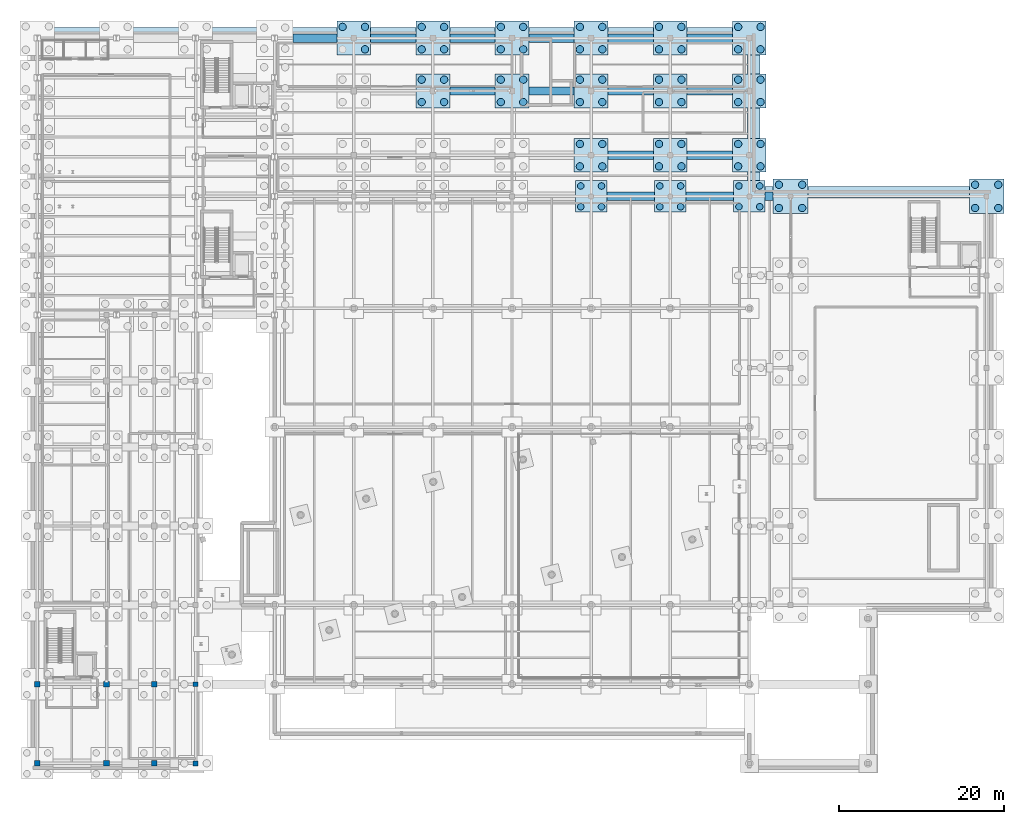
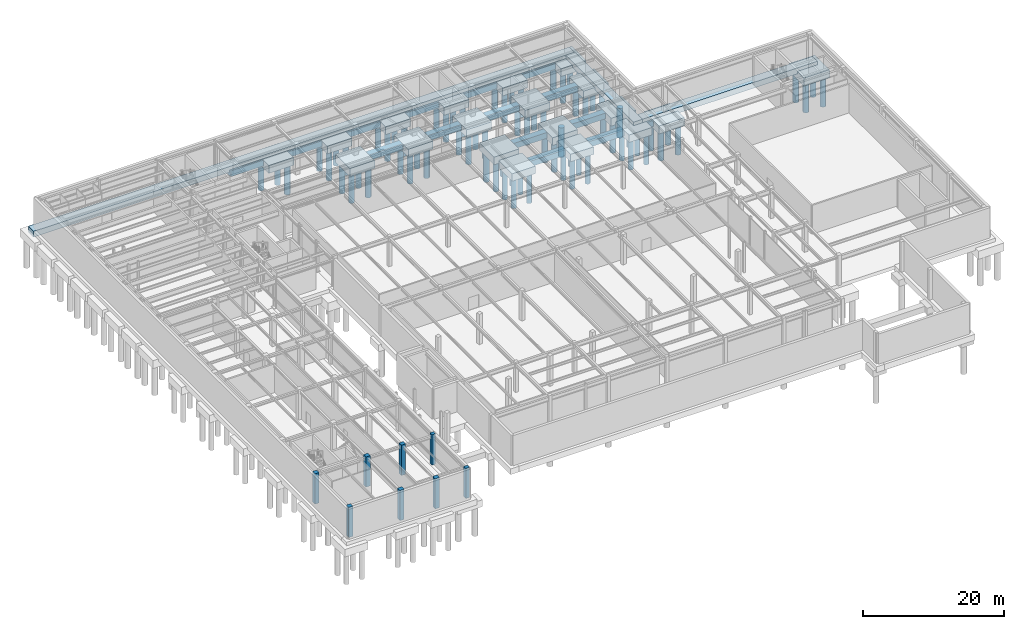
# One storey, part 5 of 33: 75 piles, 37 footings, 8 columns.
"""IFC4 building model written with IfcOpenShell, lengths in metres."""

from ifc_helpers import new_model, si_unit, direction, frame, origin, origin_2d, place, context, subcontext, project, spatial, polyline, rectangle, circle, outline, extrude, material, material_profile, profile_set, type_object, element, save


model = new_model("IFC4")

# Units and contexts
model_context = context("Model", 3, precision=1e-05, world=origin(), true_north=direction((0.0, 1.0)))
body_context = subcontext(model_context, "Body", "Model", "MODEL_VIEW")
ifc_project = project(units=[si_unit("LENGTHUNIT", "METRE"), si_unit("AREAUNIT", "SQUARE_METRE"), si_unit("VOLUMEUNIT", "CUBIC_METRE"), si_unit("PLANEANGLEUNIT", "RADIAN"), si_unit("MASSUNIT", "GRAM", prefix="KILO")], contexts=[model_context])

# Site, building, storey
site_placement = place(None, origin())
site = spatial("IfcSite", under=ifc_project, at=site_placement, CompositionType="ELEMENT")
building_placement = place(site_placement, origin())
building = spatial("IfcBuilding", under=site, at=building_placement, Name="Nordkorset Police Headquarters", CompositionType="ELEMENT")
storey_placement = place(building_placement, frame((0.0, 0.0, -9.800048828125)))
storey = spatial("IfcBuildingStorey", under=building, at=storey_placement, Name="B02", CompositionType="ELEMENT", Elevation=-9.800048828125)

# Piles
ifc_material_1 = material(Name="Concrete C45/55", Category="concrete")
ifc_material_profile_1 = material_profile(ifc_material_1, circle(Radius=0.39990234375, at=origin_2d()), Name="PILE D800")
ifc_profile_set_1 = profile_set([ifc_material_profile_1], Name="Concrete C45/55")
pile_type_1 = type_object("IfcPileType", Name="Bored_PILE_D800", PredefinedType="BORED", material=ifc_profile_set_1)
for number, where, z_axis, x_axis, name in (
    (1, (65.93994140625, 96.340087890625, -1.800048828125), (0.0, 0.0, -1.0), (1.0, 0.0, 0.0), "Rock-Socketed Bored Pile V2_Y0_3-1"),
    (2, (68.4599609375, 96.340087890625, -1.800048828125), (0.0, 0.0, -1.0), (1.0, 0.0, 0.0), "Rock-Socketed Bored Pile V2_Y0_3-2"),
    (3, (65.93994140625, 98.860107421875, -1.800048828125), (0.0, 0.0, -1.0), (1.0, 0.0, 0.0), "Rock-Socketed Bored Pile V2_Y0_3-3"),
    (4, (68.4599609375, 98.860107421875, -1.800048828125), (0.0, 0.0, -1.0), (1.0, 0.0, 0.0), "Rock-Socketed Bored Pile V2_Y0_3-4"),
    (5, (75.5400390625, 96.340087890625, -1.800048828125), (0.0, 0.0, -1.0), (1.0, 0.0, 0.0), "Rock-Socketed Bored Pile V2_Y0_4-1"),
    (6, (78.06005859375, 96.340087890625, -1.800048828125), (0.0, 0.0, -1.0), (1.0, 0.0, 0.0), "Rock-Socketed Bored Pile V2_Y0_4-2"),
    (7, (75.5400390625, 98.860107421875, -1.800048828125), (0.0, 0.0, -1.0), (1.0, 0.0, 0.0), "Rock-Socketed Bored Pile V2_Y0_4-3"),
    (8, (78.06005859375, 98.860107421875, -1.800048828125), (0.0, 0.0, -1.0), (1.0, 0.0, 0.0), "Rock-Socketed Bored Pile V2_Y0_4-4"),
    (9, (85.139892578125, 96.340087890625, -1.800048828125), (0.0, 0.0, -1.0), (1.0, 0.0, 0.0), "Rock-Socketed Bored Pile V2_Y0_5-1"),
    (10, (87.659912109375, 96.340087890625, -1.800048828125), (0.0, 0.0, -1.0), (1.0, 0.0, 0.0), "Rock-Socketed Bored Pile V2_Y0_5-2"),
    (11, (85.139892578125, 98.860107421875, -1.800048828125), (0.0, 0.0, -1.0), (1.0, 0.0, 0.0), "Rock-Socketed Bored Pile V2_Y0_5-3"),
    (12, (87.659912109375, 98.860107421875, -1.800048828125), (0.0, 0.0, -1.0), (1.0, 0.0, 0.0), "Rock-Socketed Bored Pile V2_Y0_5-4"),
):
    element("IfcPile", number, at=place(storey_placement, frame(where, z_axis=z_axis, x_axis=x_axis)), inside=storey, type_object=pile_type_1, Name=name, PredefinedType="BORED", context=body_context, shape_type="SweptSolid", body=[
        extrude(circle(Radius=0.39990234375, at=origin_2d()), origin(), (0.0, 0.0, 1.0), 5.199951171875),
    ])
ifc_material_2 = material(Name="Concrete C45/55", Category="concrete")
ifc_material_profile_2 = material_profile(ifc_material_2, circle(Radius=0.449951171875, at=origin_2d()), Name="PILE D900")
ifc_profile_set_2 = profile_set([ifc_material_profile_2], Name="Concrete C45/55")
pile_type_2 = type_object("IfcPileType", Name="Bored_PILE_D900", PredefinedType="BORED", material=ifc_profile_set_2)
for number, where, z_axis, x_axis, name in (
    (13, (39.760009765625, 115.43994140625, -1.849853515625), (0.0, 0.0, -1.0), (1.0, 0.0, 0.0), "Rock-Socketed Bored Pile V2_Y3_0-2"),
    (14, (37.0400390625, 118.159912109375, -1.849853515625), (0.0, 0.0, -1.0), (1.0, 0.0, 0.0), "Rock-Socketed Bored Pile V2_Y3_0-3"),
    (15, (39.760009765625, 118.159912109375, -1.849853515625), (0.0, 0.0, -1.0), (1.0, 0.0, 0.0), "Rock-Socketed Bored Pile V2_Y3_0-4"),
    (16, (46.639892578125, 109.0400390625, -1.849853515625), (0.0, 0.0, -1.0), (1.0, 0.0, 0.0), "Rock-Socketed Bored Pile V2_Y2_1-1"),
    (17, (49.360107421875, 109.0400390625, -1.849853515625), (0.0, 0.0, -1.0), (1.0, 0.0, 0.0), "Rock-Socketed Bored Pile V2_Y2_1-2"),
    (18, (46.639892578125, 111.760009765625, -1.849853515625), (0.0, 0.0, -1.0), (1.0, 0.0, 0.0), "Rock-Socketed Bored Pile V2_Y2_1-3"),
    (19, (49.360107421875, 111.760009765625, -1.849853515625), (0.0, 0.0, -1.0), (1.0, 0.0, 0.0), "Rock-Socketed Bored Pile V2_Y2_1-4"),
    (20, (46.639892578125, 115.43994140625, -1.849853515625), (0.0, 0.0, -1.0), (1.0, 0.0, 0.0), "Rock-Socketed Bored Pile V2_Y3_1-1"),
    (21, (49.360107421875, 115.43994140625, -1.849853515625), (0.0, 0.0, -1.0), (1.0, 0.0, 0.0), "Rock-Socketed Bored Pile V2_Y3_1-2"),
    (22, (46.639892578125, 118.159912109375, -1.849853515625), (0.0, 0.0, -1.0), (1.0, 0.0, 0.0), "Rock-Socketed Bored Pile V2_Y3_1-3"),
    (23, (49.360107421875, 118.159912109375, -1.849853515625), (0.0, 0.0, -1.0), (1.0, 0.0, 0.0), "Rock-Socketed Bored Pile V2_Y3_1-4"),
    (24, (56.239990234375, 109.0400390625, -1.849853515625), (0.0, 0.0, -1.0), (1.0, 0.0, 0.0), "Rock-Socketed Bored Pile V2_Y2_2-1"),
    (25, (58.9599609375, 109.0400390625, -1.849853515625), (0.0, 0.0, -1.0), (1.0, 0.0, 0.0), "Rock-Socketed Bored Pile V2_Y2_2-2"),
    (26, (56.239990234375, 111.760009765625, -1.849853515625), (0.0, 0.0, -1.0), (1.0, 0.0, 0.0), "Rock-Socketed Bored Pile V2_Y2_2-3"),
    (27, (58.9599609375, 111.760009765625, -1.849853515625), (0.0, 0.0, -1.0), (1.0, 0.0, 0.0), "Rock-Socketed Bored Pile V2_Y2_2-4"),
    (28, (56.239990234375, 115.43994140625, -1.849853515625), (0.0, 0.0, -1.0), (1.0, 0.0, 0.0), "Rock-Socketed Bored Pile V2_Y3_2-1"),
    (29, (58.9599609375, 115.43994140625, -1.849853515625), (0.0, 0.0, -1.0), (1.0, 0.0, 0.0), "Rock-Socketed Bored Pile V2_Y3_2-2"),
    (30, (56.239990234375, 118.159912109375, -1.849853515625), (0.0, 0.0, -1.0), (1.0, 0.0, 0.0), "Rock-Socketed Bored Pile V2_Y3_2-3"),
    (31, (58.9599609375, 118.159912109375, -1.849853515625), (0.0, 0.0, -1.0), (1.0, 0.0, 0.0), "Rock-Socketed Bored Pile V2_Y3_2-4"),
    (32, (65.840087890625, 101.239990234375, -1.849853515625), (0.0, 0.0, -1.0), (1.0, 0.0, 0.0), "Rock-Socketed Bored Pile V2_Y1_3-1"),
    (33, (68.56005859375, 101.239990234375, -1.849853515625), (0.0, 0.0, -1.0), (1.0, 0.0, 0.0), "Rock-Socketed Bored Pile V2_Y1_3-2"),
    (34, (65.840087890625, 103.9599609375, -1.849853515625), (0.0, 0.0, -1.0), (1.0, 0.0, 0.0), "Rock-Socketed Bored Pile V2_Y1_3-3"),
    (35, (68.56005859375, 103.9599609375, -1.849853515625), (0.0, 0.0, -1.0), (1.0, 0.0, 0.0), "Rock-Socketed Bored Pile V2_Y1_3-4"),
    (36, (65.840087890625, 109.0400390625, -1.849853515625), (0.0, 0.0, -1.0), (1.0, 0.0, 0.0), "Rock-Socketed Bored Pile V2_Y2_3-1"),
    (37, (68.56005859375, 109.0400390625, -1.849853515625), (0.0, 0.0, -1.0), (1.0, 0.0, 0.0), "Rock-Socketed Bored Pile V2_Y2_3-2"),
    (38, (65.840087890625, 111.760009765625, -1.849853515625), (0.0, 0.0, -1.0), (1.0, 0.0, 0.0), "Rock-Socketed Bored Pile V2_Y2_3-3"),
    (39, (68.56005859375, 111.760009765625, -1.849853515625), (0.0, 0.0, -1.0), (1.0, 0.0, 0.0), "Rock-Socketed Bored Pile V2_Y2_3-4"),
    (40, (65.840087890625, 115.43994140625, -1.849853515625), (0.0, 0.0, -1.0), (1.0, 0.0, 0.0), "Rock-Socketed Bored Pile V2_Y3_3-1"),
    (41, (68.56005859375, 115.43994140625, -1.849853515625), (0.0, 0.0, -1.0), (1.0, 0.0, 0.0), "Rock-Socketed Bored Pile V2_Y3_3-2"),
    (42, (65.840087890625, 118.159912109375, -1.849853515625), (0.0, 0.0, -1.0), (1.0, 0.0, 0.0), "Rock-Socketed Bored Pile V2_Y3_3-3"),
    (43, (68.56005859375, 118.159912109375, -1.849853515625), (0.0, 0.0, -1.0), (1.0, 0.0, 0.0), "Rock-Socketed Bored Pile V2_Y3_3-4"),
    (44, (75.43994140625, 101.239990234375, -1.849853515625), (0.0, 0.0, -1.0), (1.0, 0.0, 0.0), "Rock-Socketed Bored Pile V2_Y1_4-1"),
    (45, (78.159912109375, 101.239990234375, -1.849853515625), (0.0, 0.0, -1.0), (1.0, 0.0, 0.0), "Rock-Socketed Bored Pile V2_Y1_4-2"),
    (46, (75.43994140625, 103.9599609375, -1.849853515625), (0.0, 0.0, -1.0), (1.0, 0.0, 0.0), "Rock-Socketed Bored Pile V2_Y1_4-3"),
    (47, (78.159912109375, 103.9599609375, -1.849853515625), (0.0, 0.0, -1.0), (1.0, 0.0, 0.0), "Rock-Socketed Bored Pile V2_Y1_4-4"),
    (48, (75.43994140625, 109.0400390625, -1.849853515625), (0.0, 0.0, -1.0), (1.0, 0.0, 0.0), "Rock-Socketed Bored Pile V2_Y2_4-1"),
    (49, (78.159912109375, 109.0400390625, -1.849853515625), (0.0, 0.0, -1.0), (1.0, 0.0, 0.0), "Rock-Socketed Bored Pile V2_Y2_4-2"),
    (50, (75.43994140625, 111.760009765625, -1.849853515625), (0.0, 0.0, -1.0), (1.0, 0.0, 0.0), "Rock-Socketed Bored Pile V2_Y2_4-3"),
    (51, (78.159912109375, 111.760009765625, -1.849853515625), (0.0, 0.0, -1.0), (1.0, 0.0, 0.0), "Rock-Socketed Bored Pile V2_Y2_4-4"),
    (52, (75.43994140625, 115.43994140625, -1.849853515625), (0.0, 0.0, -1.0), (1.0, 0.0, 0.0), "Rock-Socketed Bored Pile V2_Y3_4-1"),
    (53, (78.159912109375, 115.43994140625, -1.849853515625), (0.0, 0.0, -1.0), (1.0, 0.0, 0.0), "Rock-Socketed Bored Pile V2_Y3_4-2"),
    (54, (75.43994140625, 118.159912109375, -1.849853515625), (0.0, 0.0, -1.0), (1.0, 0.0, 0.0), "Rock-Socketed Bored Pile V2_Y3_4-3"),
    (55, (78.159912109375, 118.159912109375, -1.849853515625), (0.0, 0.0, -1.0), (1.0, 0.0, 0.0), "Rock-Socketed Bored Pile V2_Y3_4-4"),
    (56, (85.0400390625, 101.239990234375, -1.849853515625), (0.0, 0.0, -1.0), (1.0, 0.0, 0.0), "Rock-Socketed Bored Pile V2_Y1_5-1"),
    (57, (87.760009765625, 101.239990234375, -1.849853515625), (0.0, 0.0, -1.0), (1.0, 0.0, 0.0), "Rock-Socketed Bored Pile V2_Y1_5-2"),
    (58, (85.0400390625, 103.9599609375, -1.849853515625), (0.0, 0.0, -1.0), (1.0, 0.0, 0.0), "Rock-Socketed Bored Pile V2_Y1_5-3"),
    (59, (87.760009765625, 103.9599609375, -1.849853515625), (0.0, 0.0, -1.0), (1.0, 0.0, 0.0), "Rock-Socketed Bored Pile V2_Y1_5-4"),
    (60, (85.0400390625, 109.0400390625, -1.849853515625), (0.0, 0.0, -1.0), (1.0, 0.0, 0.0), "Rock-Socketed Bored Pile V2_Y2_5-1"),
    (61, (87.760009765625, 109.0400390625, -1.849853515625), (0.0, 0.0, -1.0), (1.0, 0.0, 0.0), "Rock-Socketed Bored Pile V2_Y2_5-2"),
    (62, (85.0400390625, 111.760009765625, -1.849853515625), (0.0, 0.0, -1.0), (1.0, 0.0, 0.0), "Rock-Socketed Bored Pile V2_Y2_5-3"),
    (63, (87.760009765625, 111.760009765625, -1.849853515625), (0.0, 0.0, -1.0), (1.0, 0.0, 0.0), "Rock-Socketed Bored Pile V2_Y2_5-4"),
    (64, (85.0400390625, 115.43994140625, -1.849853515625), (0.0, 0.0, -1.0), (1.0, 0.0, 0.0), "Rock-Socketed Bored Pile V2_Y3_5-1"),
    (65, (87.760009765625, 115.43994140625, -1.849853515625), (0.0, 0.0, -1.0), (1.0, 0.0, 0.0), "Rock-Socketed Bored Pile V2_Y3_5-2"),
    (66, (85.0400390625, 118.159912109375, -1.849853515625), (0.0, 0.0, -1.0), (1.0, 0.0, 0.0), "Rock-Socketed Bored Pile V2_Y3_5-3"),
    (67, (87.760009765625, 118.159912109375, -1.849853515625), (0.0, 0.0, -1.0), (1.0, 0.0, 0.0), "Rock-Socketed Bored Pile V2_Y3_5-4"),
):
    element("IfcPile", number, at=place(storey_placement, frame(where, z_axis=z_axis, x_axis=x_axis)), inside=storey, type_object=pile_type_2, Name=name, PredefinedType="BORED", context=body_context, shape_type="SweptSolid", body=[
        extrude(circle(Radius=0.449951171875, at=origin_2d()), origin(), (0.0, 0.0, 1.0), 5.14990234375),
    ])
for number, where, z_axis, x_axis, name in (
    (68, (89.989990234375, 96.18994140625, -1.89990234375), (0.0, 0.0, -1.0), (1.0, 0.0, 0.0), "Rock-Socketed Bored Pile V5_X1_5-1"),
    (69, (92.81005859375, 96.18994140625, -1.89990234375), (0.0, 0.0, -1.0), (1.0, 0.0, 0.0), "Rock-Socketed Bored Pile V5_X1_5-2"),
    (70, (89.989990234375, 99.010009765625, -1.89990234375), (0.0, 0.0, -1.0), (1.0, 0.0, 0.0), "Rock-Socketed Bored Pile V5_X1_5-3"),
    (71, (92.81005859375, 99.010009765625, -1.89990234375), (0.0, 0.0, -1.0), (1.0, 0.0, 0.0), "Rock-Socketed Bored Pile V5_X1_5-4"),
    (72, (113.7900390625, 96.18994140625, -1.89990234375), (0.0, 0.0, -1.0), (1.0, 0.0, 0.0), "Rock-Socketed Bored Pile V5_X2_5-1"),
    (73, (116.610107421875, 96.18994140625, -1.89990234375), (0.0, 0.0, -1.0), (1.0, 0.0, 0.0), "Rock-Socketed Bored Pile V5_X2_5-2"),
    (74, (113.7900390625, 99.010009765625, -1.89990234375), (0.0, 0.0, -1.0), (1.0, 0.0, 0.0), "Rock-Socketed Bored Pile V5_X2_5-3"),
    (75, (116.610107421875, 99.010009765625, -1.89990234375), (0.0, 0.0, -1.0), (1.0, 0.0, 0.0), "Rock-Socketed Bored Pile V5_X2_5-4"),
):
    element("IfcPile", number, at=place(storey_placement, frame(where, z_axis=z_axis, x_axis=x_axis)), inside=storey, type_object=pile_type_2, Name=name, PredefinedType="BORED", context=body_context, shape_type="SweptSolid", body=[
        extrude(circle(Radius=0.449951171875, at=origin_2d()), origin(), (0.0, 0.0, 1.0), 5.10009765625),
    ])

# Footings
ifc_material_3 = material(Name="Concrete C35/45", Category="concrete")
footing_type_1 = type_object("IfcFootingType", Name="Cap_3800x3800x1300", PredefinedType="PILE_CAP", material=ifc_material_3)
for number, where, z_axis, x_axis, name in (
    (76, (67.199951171875, 97.60009765625, -1.89990234375), (0.0, 0.0, 1.0), (1.0, 0.0, 0.0), "Reinforced Concrete Pile Cap V2_Y0_3"),
    (77, (76.800048828125, 97.60009765625, -1.89990234375), (0.0, 0.0, 1.0), (1.0, 0.0, 0.0), "Reinforced Concrete Pile Cap V2_Y0_4"),
    (78, (86.39990234375, 97.60009765625, -1.89990234375), (0.0, 0.0, 1.0), (1.0, 0.0, 0.0), "Reinforced Concrete Pile Cap V2_Y0_5"),
):
    element("IfcFooting", number, at=place(storey_placement, frame(where, z_axis=z_axis, x_axis=x_axis)), inside=storey, type_object=footing_type_1, Name=name, PredefinedType="PILE_CAP", context=body_context, shape_type="SweptSolid", body=[
        extrude(rectangle(XDim=3.800048828125, YDim=3.800048828125, at=origin_2d()), origin(), (0.0, 0.0, 1.0), 1.300048828125),
    ])
ifc_material_4 = material(Name="Concrete C35/45", Category="concrete")
footing_type_2 = type_object("IfcFootingType", Name="Cap_3900x3900x1350", PredefinedType="PILE_CAP", material=ifc_material_4)
for number, where, z_axis, x_axis, name in (
    (79, (38.39990234375, 116.800048828125, -1.949951171875), (0.0, 0.0, 1.0), (1.0, 0.0, 0.0), "Reinforced Concrete Pile Cap V2_Y3_0"),
    (80, (48.0, 110.39990234375, -1.949951171875), (0.0, 0.0, 1.0), (1.0, 0.0, 0.0), "Reinforced Concrete Pile Cap V2_Y2_1"),
    (81, (48.0, 116.800048828125, -1.949951171875), (0.0, 0.0, 1.0), (1.0, 0.0, 0.0), "Reinforced Concrete Pile Cap V2_Y3_1"),
    (82, (57.60009765625, 110.39990234375, -1.949951171875), (0.0, 0.0, 1.0), (1.0, 0.0, 0.0), "Reinforced Concrete Pile Cap V2_Y2_2"),
    (83, (57.60009765625, 116.800048828125, -1.949951171875), (0.0, 0.0, 1.0), (1.0, 0.0, 0.0), "Reinforced Concrete Pile Cap V2_Y3_2"),
    (84, (67.199951171875, 102.60009765625, -1.949951171875), (0.0, 0.0, 1.0), (1.0, 0.0, 0.0), "Reinforced Concrete Pile Cap V2_Y1_3"),
    (85, (67.199951171875, 110.39990234375, -1.949951171875), (0.0, 0.0, 1.0), (1.0, 0.0, 0.0), "Reinforced Concrete Pile Cap V2_Y2_3"),
    (86, (67.199951171875, 116.800048828125, -1.949951171875), (0.0, 0.0, 1.0), (1.0, 0.0, 0.0), "Reinforced Concrete Pile Cap V2_Y3_3"),
    (87, (76.800048828125, 102.60009765625, -1.949951171875), (0.0, 0.0, 1.0), (1.0, 0.0, 0.0), "Reinforced Concrete Pile Cap V2_Y1_4"),
    (88, (76.800048828125, 110.39990234375, -1.949951171875), (0.0, 0.0, 1.0), (1.0, 0.0, 0.0), "Reinforced Concrete Pile Cap V2_Y2_4"),
    (89, (76.800048828125, 116.800048828125, -1.949951171875), (0.0, 0.0, 1.0), (1.0, 0.0, 0.0), "Reinforced Concrete Pile Cap V2_Y3_4"),
    (90, (86.39990234375, 102.60009765625, -1.949951171875), (0.0, 0.0, 1.0), (1.0, 0.0, 0.0), "Reinforced Concrete Pile Cap V2_Y1_5"),
    (91, (86.39990234375, 110.39990234375, -1.949951171875), (0.0, 0.0, 1.0), (1.0, 0.0, 0.0), "Reinforced Concrete Pile Cap V2_Y2_5"),
    (92, (86.39990234375, 116.800048828125, -1.949951171875), (0.0, 0.0, 1.0), (1.0, 0.0, 0.0), "Reinforced Concrete Pile Cap V2_Y3_5"),
):
    element("IfcFooting", number, at=place(storey_placement, frame(where, z_axis=z_axis, x_axis=x_axis)), inside=storey, type_object=footing_type_2, Name=name, PredefinedType="PILE_CAP", context=body_context, shape_type="SweptSolid", body=[
        extrude(rectangle(XDim=4.10009765625, YDim=4.10009765625, at=origin_2d()), origin(), (0.0, 0.0, 1.0), 1.35009765625),
    ])
ifc_material_5 = material(Name="Concrete C35/45", Category="concrete")
footing_type_3 = type_object("IfcFootingType", Name="Cap_4200x4200x1400", PredefinedType="PILE_CAP", material=ifc_material_5)
for number, where, z_axis, x_axis, name in (
    (93, (91.39990234375, 97.60009765625, -2.0), (0.0, 0.0, 1.0), (1.0, 0.0, 0.0), "Reinforced Concrete Pile Cap V5_X1_5"),
    (94, (115.199951171875, 97.60009765625, -2.0), (0.0, 0.0, 1.0), (1.0, 0.0, 0.0), "Reinforced Concrete Pile Cap V5_X2_5"),
):
    element("IfcFooting", number, at=place(storey_placement, frame(where, z_axis=z_axis, x_axis=x_axis)), inside=storey, type_object=footing_type_3, Name=name, PredefinedType="PILE_CAP", context=body_context, shape_type="SweptSolid", body=[
        extrude(rectangle(XDim=4.199951171875, YDim=4.199951171875, at=origin_2d()), origin(), (0.0, 0.0, 1.0), 1.39990234375),
    ])
ifc_material_6 = material(Name="Concrete C35/45", Category="concrete")
footing_type_4 = type_object("IfcFootingType", Name="Strip_1000x1000", PredefinedType="STRIP_FOOTING", material=ifc_material_6)
footing_1_placement = place(storey_placement, frame((0.0, 0.0, -1.599853515625)))
element("IfcFooting", 95, at=footing_1_placement, inside=storey, type_object=footing_type_4, Name="Foundation Tie Strip Footing X-105", PredefinedType="STRIP_FOOTING", context=body_context, shape_type="SweptSolid", body=[
    extrude(outline(polyline([(69.10302734375, 97.10009765625), (74.89697265625, 97.10009765625), (74.89697265625, 98.10009765625), (69.10302734375, 98.10009765625), (69.10302734375, 97.10009765625)])), origin(), (0.0, 0.0, 1.0), 1.0),
])
footing_2_placement = place(storey_placement, frame((0.0, 0.0, -1.599853515625)))
element("IfcFooting", 96, at=footing_2_placement, inside=storey, type_object=footing_type_4, Name="Foundation Tie Strip Footing X-106", PredefinedType="STRIP_FOOTING", context=body_context, shape_type="SweptSolid", body=[
    extrude(outline(polyline([(78.702880859375, 97.10009765625), (84.4970703125, 97.10009765625), (84.4970703125, 98.10009765625), (78.702880859375, 98.10009765625), (78.702880859375, 97.10009765625)])), origin(), (0.0, 0.0, 1.0), 1.0),
])
footing_3_placement = place(storey_placement, frame((0.0, 0.0, -1.599853515625)))
element("IfcFooting", 97, at=footing_3_placement, inside=storey, type_object=footing_type_4, Name="Foundation Tie Strip Footing X-107", PredefinedType="STRIP_FOOTING", context=body_context, shape_type="SweptSolid", body=[
    extrude(outline(polyline([(88.302978515625, 97.10009765625), (89.297119140625, 97.10009765625), (89.297119140625, 98.10009765625), (88.302978515625, 98.10009765625), (88.302978515625, 97.10009765625)])), origin(), (0.0, 0.0, 1.0), 1.0),
])
footing_4_placement = place(storey_placement, frame((0.0, 0.0, -1.599853515625)))
element("IfcFooting", 98, at=footing_4_placement, inside=storey, type_object=footing_type_4, Name="Foundation Tie Strip Footing X-112", PredefinedType="STRIP_FOOTING", context=body_context, shape_type="SweptSolid", body=[
    extrude(outline(polyline([(69.2529296875, 102.10009765625), (74.7470703125, 102.10009765625), (74.7470703125, 103.10009765625), (69.2529296875, 103.10009765625), (69.2529296875, 102.10009765625)])), origin(), (0.0, 0.0, 1.0), 1.0),
])
footing_5_placement = place(storey_placement, frame((0.0, 0.0, -1.599853515625)))
element("IfcFooting", 99, at=footing_5_placement, inside=storey, type_object=footing_type_4, Name="Foundation Tie Strip Footing X-113", PredefinedType="STRIP_FOOTING", context=body_context, shape_type="SweptSolid", body=[
    extrude(outline(polyline([(78.85302734375, 102.10009765625), (84.346923828125, 102.10009765625), (84.346923828125, 103.10009765625), (78.85302734375, 103.10009765625), (78.85302734375, 102.10009765625)])), origin(), (0.0, 0.0, 1.0), 1.0),
])
footing_6_placement = place(storey_placement, frame((0.0, 0.0, -1.599853515625)))
element("IfcFooting", 100, at=footing_6_placement, inside=storey, type_object=footing_type_4, Name="Foundation Tie Strip Footing X-116", PredefinedType="STRIP_FOOTING", context=body_context, shape_type="SweptSolid", body=[
    extrude(outline(polyline([(50.052978515625, 109.89990234375), (55.547119140625, 109.89990234375), (55.547119140625, 110.89990234375), (50.052978515625, 110.89990234375), (50.052978515625, 109.89990234375)])), origin(), (0.0, 0.0, 1.0), 1.0),
])
footing_7_placement = place(storey_placement, frame((0.0, 0.0, -1.599853515625)))
element("IfcFooting", 101, at=footing_7_placement, inside=storey, type_object=footing_type_4, Name="Foundation Tie Strip Footing X-117", PredefinedType="STRIP_FOOTING", context=body_context, shape_type="SweptSolid", body=[
    extrude(outline(polyline([(59.653076171875, 109.89990234375), (65.14697265625, 109.89990234375), (65.14697265625, 110.89990234375), (59.653076171875, 110.89990234375), (59.653076171875, 109.89990234375)])), origin(), (0.0, 0.0, 1.0), 1.0),
])
footing_8_placement = place(storey_placement, frame((0.0, 0.0, -1.599853515625)))
element("IfcFooting", 102, at=footing_8_placement, inside=storey, type_object=footing_type_4, Name="Foundation Tie Strip Footing X-118", PredefinedType="STRIP_FOOTING", context=body_context, shape_type="SweptSolid", body=[
    extrude(outline(polyline([(69.2529296875, 109.89990234375), (74.7470703125, 109.89990234375), (74.7470703125, 110.89990234375), (69.2529296875, 110.89990234375), (69.2529296875, 109.89990234375)])), origin(), (0.0, 0.0, 1.0), 1.0),
])
footing_9_placement = place(storey_placement, frame((0.0, 0.0, -1.599853515625)))
element("IfcFooting", 103, at=footing_9_placement, inside=storey, type_object=footing_type_4, Name="Foundation Tie Strip Footing X-119", PredefinedType="STRIP_FOOTING", context=body_context, shape_type="SweptSolid", body=[
    extrude(outline(polyline([(78.85302734375, 109.89990234375), (84.346923828125, 109.89990234375), (84.346923828125, 110.89990234375), (78.85302734375, 110.89990234375), (78.85302734375, 109.89990234375)])), origin(), (0.0, 0.0, 1.0), 1.0),
])
footing_10_placement = place(storey_placement, frame((0.0, 0.0, -1.599853515625)))
element("IfcFooting", 104, at=footing_10_placement, inside=storey, type_object=footing_type_4, Name="Foundation Tie Strip Footing X-124", PredefinedType="STRIP_FOOTING", context=body_context, shape_type="SweptSolid", body=[
    extrude(outline(polyline([(31.0029296875, 116.300048828125), (36.346923828125, 116.300048828125), (36.346923828125, 117.300048828125), (31.0029296875, 117.300048828125), (31.0029296875, 116.300048828125)])), origin(), (0.0, 0.0, 1.0), 1.0),
])
footing_11_placement = place(storey_placement, frame((0.0, 0.0, -1.599853515625)))
element("IfcFooting", 105, at=footing_11_placement, inside=storey, type_object=footing_type_4, Name="Foundation Tie Strip Footing X-125", PredefinedType="STRIP_FOOTING", context=body_context, shape_type="SweptSolid", body=[
    extrude(outline(polyline([(40.452880859375, 116.300048828125), (45.947021484375, 116.300048828125), (45.947021484375, 117.300048828125), (40.452880859375, 117.300048828125), (40.452880859375, 116.300048828125)])), origin(), (0.0, 0.0, 1.0), 1.0),
])
footing_12_placement = place(storey_placement, frame((0.0, 0.0, -1.599853515625)))
element("IfcFooting", 106, at=footing_12_placement, inside=storey, type_object=footing_type_4, Name="Foundation Tie Strip Footing X-126", PredefinedType="STRIP_FOOTING", context=body_context, shape_type="SweptSolid", body=[
    extrude(outline(polyline([(50.052978515625, 116.300048828125), (55.547119140625, 116.300048828125), (55.547119140625, 117.300048828125), (50.052978515625, 117.300048828125), (50.052978515625, 116.300048828125)])), origin(), (0.0, 0.0, 1.0), 1.0),
])
footing_13_placement = place(storey_placement, frame((0.0, 0.0, -1.599853515625)))
element("IfcFooting", 107, at=footing_13_placement, inside=storey, type_object=footing_type_4, Name="Foundation Tie Strip Footing X-127", PredefinedType="STRIP_FOOTING", context=body_context, shape_type="SweptSolid", body=[
    extrude(outline(polyline([(59.653076171875, 116.300048828125), (65.14697265625, 116.300048828125), (65.14697265625, 117.300048828125), (59.653076171875, 117.300048828125), (59.653076171875, 116.300048828125)])), origin(), (0.0, 0.0, 1.0), 1.0),
])
footing_14_placement = place(storey_placement, frame((0.0, 0.0, -1.599853515625)))
element("IfcFooting", 108, at=footing_14_placement, inside=storey, type_object=footing_type_4, Name="Foundation Tie Strip Footing X-128", PredefinedType="STRIP_FOOTING", context=body_context, shape_type="SweptSolid", body=[
    extrude(outline(polyline([(69.2529296875, 116.300048828125), (74.7470703125, 116.300048828125), (74.7470703125, 117.300048828125), (69.2529296875, 117.300048828125), (69.2529296875, 116.300048828125)])), origin(), (0.0, 0.0, 1.0), 1.0),
])
footing_15_placement = place(storey_placement, frame((0.0, 0.0, -1.599853515625)))
element("IfcFooting", 109, at=footing_15_placement, inside=storey, type_object=footing_type_4, Name="Foundation Tie Strip Footing X-129", PredefinedType="STRIP_FOOTING", context=body_context, shape_type="SweptSolid", body=[
    extrude(outline(polyline([(78.85302734375, 116.300048828125), (84.346923828125, 116.300048828125), (84.346923828125, 117.300048828125), (78.85302734375, 117.300048828125), (78.85302734375, 116.300048828125)])), origin(), (0.0, 0.0, 1.0), 1.0),
])
footing_16_placement = place(storey_placement, frame((0.0, 0.0, -1.0)))
element("IfcFooting", 110, at=footing_16_placement, inside=storey, type_object=footing_type_4, Name="Subterranean Perimeter Strip Footing FTG-RET-N1", PredefinedType="STRIP_FOOTING", context=body_context, shape_type="SweptSolid", body=[
    extrude(outline(polyline([(-1.199951171875, 116.60009765625), (87.60009765625, 116.60009765625), (87.60009765625, 118.10009765625), (-1.199951171875, 118.10009765625), (-1.199951171875, 116.60009765625)])), origin(), (0.0, 0.0, 1.0), 1.0),
])
footing_17_placement = place(storey_placement, frame((0.0, 0.0, -1.0)))
element("IfcFooting", 111, at=footing_17_placement, inside=storey, type_object=footing_type_4, Name="Subterranean Perimeter Strip Footing FTG-RET-N2", PredefinedType="STRIP_FOOTING", context=body_context, shape_type="SweptSolid", body=[
    extrude(outline(polyline([(86.199951171875, 97.39990234375), (116.39990234375, 97.39990234375), (116.39990234375, 98.800048828125), (86.199951171875, 98.800048828125), (86.199951171875, 97.39990234375)])), origin(), (0.0, 0.0, 1.0), 1.0),
])
footing_18_placement = place(storey_placement, frame((0.0, 0.0, -1.0)))
element("IfcFooting", 112, at=footing_18_placement, inside=storey, type_object=footing_type_4, Name="Subterranean Perimeter Strip Footing FTG-RET-E2", PredefinedType="STRIP_FOOTING", context=body_context, shape_type="SweptSolid", body=[
    extrude(outline(polyline([(86.199951171875, 97.39990234375), (87.699951171875, 97.39990234375), (87.699951171875, 116.60009765625), (86.199951171875, 116.60009765625), (86.199951171875, 97.39990234375)])), origin(), (0.0, 0.0, 1.0), 1.0),
])

# Columns
ifc_material_7 = material(Name="Concrete C45/55", Category="concrete")
ifc_material_profile_3 = material_profile(ifc_material_7, rectangle(XDim=0.60009765625, YDim=0.60009765625, at=origin_2d()), Name="RC 600x600")
ifc_profile_set_3 = profile_set([ifc_material_profile_3], Name="Concrete C45/55")
column_type_1 = type_object("IfcColumnType", Name="Col_RC_600x600", PredefinedType="COLUMN", material=ifc_profile_set_3)
for number, where, z_axis, x_axis, name in (
    (113, (19.199951171875, 28.800048828125, 0.0), (0.0, 0.0, 1.0), (1.0, 0.0, 0.0), "Structural Column V3_X3_0 B02"),
    (114, (19.199951171875, 38.39990234375, 0.0), (0.0, 0.0, 1.0), (1.0, 0.0, 0.0), "Structural Column V3_X3_1 B02"),
):
    element("IfcColumn", number, at=place(storey_placement, frame(where, z_axis=z_axis, x_axis=x_axis)), inside=storey, type_object=column_type_1, Name=name, PredefinedType="COLUMN", context=body_context, shape_type="SweptSolid", body=[
        extrude(rectangle(XDim=0.60009765625, YDim=0.60009765625, at=origin_2d()), origin(), (0.0, 0.0, 1.0), 5.25),
    ])
ifc_material_8 = material(Name="Concrete C45/55", Category="concrete")
ifc_material_profile_4 = material_profile(ifc_material_8, rectangle(XDim=0.699951171875, YDim=0.699951171875, at=origin_2d()), Name="RC 700x700")
ifc_profile_set_4 = profile_set([ifc_material_profile_4], Name="Concrete C45/55")
column_type_2 = type_object("IfcColumnType", Name="Col_RC_700x700", PredefinedType="COLUMN", material=ifc_profile_set_4)
for number, where, z_axis, x_axis, name in (
    (115, (0.0, 28.800048828125, 0.0), (0.0, 0.0, 1.0), (1.0, 0.0, 0.0), "Structural Column V3_X0_0 B02"),
    (116, (8.39990234375, 28.800048828125, 0.0), (0.0, 0.0, 1.0), (1.0, 0.0, 0.0), "Structural Column V3_X1_0 B02"),
    (117, (14.199951171875, 28.800048828125, 0.0), (0.0, 0.0, 1.0), (1.0, 0.0, 0.0), "Structural Column V3_X2_0 B02"),
    (118, (0.0, 38.39990234375, 0.0), (0.0, 0.0, 1.0), (1.0, 0.0, 0.0), "Structural Column V3_X0_1 B02"),
    (119, (8.39990234375, 38.39990234375, 0.0), (0.0, 0.0, 1.0), (1.0, 0.0, 0.0), "Structural Column V3_X1_1 B02"),
    (120, (14.199951171875, 38.39990234375, 0.0), (0.0, 0.0, 1.0), (1.0, 0.0, 0.0), "Structural Column V3_X2_1 B02"),
):
    element("IfcColumn", number, at=place(storey_placement, frame(where, z_axis=z_axis, x_axis=x_axis)), inside=storey, type_object=column_type_2, Name=name, PredefinedType="COLUMN", context=body_context, shape_type="SweptSolid", body=[
        extrude(rectangle(XDim=0.699951171875, YDim=0.699951171875, at=origin_2d()), origin(), (0.0, 0.0, 1.0), 5.25),
    ])

save(model, "model.ifc")
